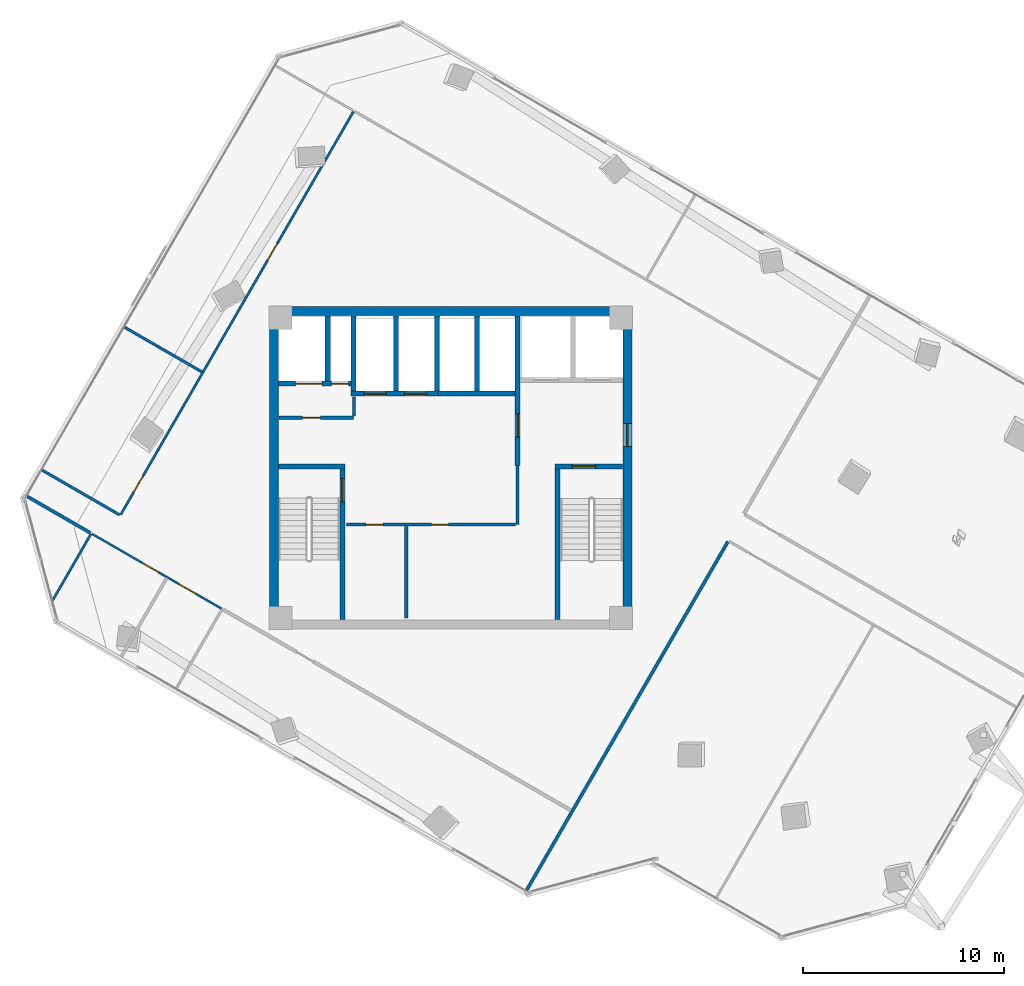
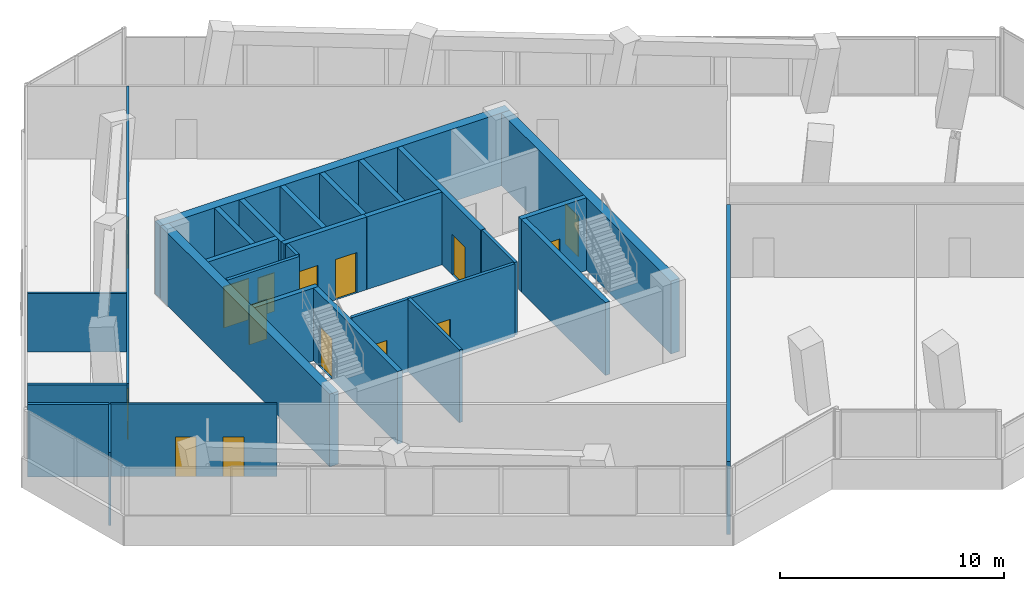
# One storey, part 18 of 22: 28 walls, 15 doors, 15 openings.
"""IFC4 building model written with IfcOpenShell, lengths in metres."""

from ifc_helpers import new_model, si_unit, direction, frame, frame_2d, origin, place, context, subcontext, project, spatial, rectangle, extrude, source, transform, mapped, material, layer, layer_set, type_object, element, fill, save


model = new_model("IFC4")

# Units and contexts
model_context = context("Model", 3, precision=1e-05, world=origin(), true_north=direction((0.0, 1.0)))
body_context = subcontext(model_context, "Body", "Model", "MODEL_VIEW")
ifc_project = project(units=[si_unit("LENGTHUNIT", "METRE"), si_unit("AREAUNIT", "SQUARE_METRE"), si_unit("VOLUMEUNIT", "CUBIC_METRE"), si_unit("PLANEANGLEUNIT", "RADIAN"), si_unit("MASSUNIT", "GRAM", prefix="KILO")], contexts=[model_context])

# Site, building, storey
site_placement = place(None, origin())
site = spatial("IfcSite", under=ifc_project, at=site_placement, CompositionType="ELEMENT")
building_placement = place(site_placement, origin())
building = spatial("IfcBuilding", under=site, at=building_placement, Name="Torre Montelarca", CompositionType="ELEMENT")
storey_placement = place(building_placement, frame((0.0, 0.0, 183.39990234375)))
storey = spatial("IfcBuildingStorey", under=building, at=storey_placement, Name="L41", CompositionType="ELEMENT", Elevation=183.39990234375)

# Wall, opening, door
ifc_material_1 = material(Name="Concrete C40/50", Category="concrete")
ifc_layer_1 = layer(ifc_material_1, 0.25, Name="Concrete C40/50", Category="concrete")
ifc_layer_set_1 = layer_set([ifc_layer_1], Name="Concrete C40/50")
wall_type_1 = type_object("IfcWallType", Name="CW-SHAFT-250", PredefinedType="SHEAR", material=ifc_layer_set_1)
wall_1_placement = place(storey_placement, frame((12.625, 24.4599609375, 0.0), z_axis=(0.0, 0.0, 1.0), x_axis=(0.0, 1.0, 0.0)))
wall_1 = element("IfcWall", 1, at=wall_1_placement, inside=storey, type_object=wall_type_1, Name="L41 Core Shear Wall SH-ST1-E", PredefinedType="SHEAR", context=body_context, shape_type="SweptSolid", body=[
    extrude(rectangle(XDim=7.489990234375, YDim=0.25, at=frame_2d((3.7451171875, 0.0))), origin(), (0.0, 0.0, 1.0), 3.960205078125),
])
opening_1_placement = place(wall_1_placement, frame((5.85009765625, 0.0, 0.0)))
opening_1 = element("IfcOpeningElement", 2, at=opening_1_placement, cuts=wall_1, Name="Opening FD-ST1", PredefinedType="OPENING", context=body_context, shape_type="SweptSolid", body=[
    extrude(rectangle(XDim=1.14990234375, YDim=2.199951171875, at=frame_2d((0.574951171875, 1.10009765625))), frame((0.0, 0.135009765625, 0.0), z_axis=(0.0, -1.0, 0.0), x_axis=(1.0, 0.0, 0.0)), (0.0, 0.0, 1.0), 0.27001953125),
])
ifc_material_2 = material(Name="Galvanized steel fire door", Category="steel")
door_type_1 = type_object("IfcDoorType", Name="DR-STAIR-115", OperationType="NOTDEFINED", PredefinedType="DOOR", material=ifc_material_2)
shared_shape_1 = source(origin(), body_context, "Body", "SweptSolid", [
    extrude(rectangle(XDim=1.14990234375, YDim=2.199951171875, at=frame_2d((0.574951171875, 1.10009765625))), frame((0.0, 0.02490234375, 0.0), z_axis=(0.0, -1.0, 0.0), x_axis=(1.0, 0.0, 0.0)), (0.0, 0.0, 1.0), 0.050048828125),
])
door_1_placement = place(opening_1_placement, origin())
door_1 = element("IfcDoor", 3, at=door_1_placement, inside=storey, type_object=door_type_1, Name="L41 Exit Stair ST1 Fire Door", OperationType="SINGLE_SWING_RIGHT", OverallHeight=2.199951171875, OverallWidth=1.14990234375, PredefinedType="DOOR", context=body_context, shape_type="MappedRepresentation", body=[
    mapped(shared_shape_1, transform((0.0, 0.0, 0.0), scale=1.0)),
])
fill(opening_1, door_1)

# Walls
wall_2_placement = place(storey_placement, frame((9.4599609375, 32.074951171875, 0.0), z_axis=(0.0, 0.0, 1.0), x_axis=(1.0, 0.0, 0.0)))
element("IfcWall", 4, at=wall_2_placement, inside=storey, type_object=wall_type_1, Name="L41 Core Shear Wall SH-ST1-N", PredefinedType="SHEAR", context=body_context, shape_type="SweptSolid", body=[
    extrude(rectangle(XDim=3.2900390625, YDim=0.25, at=frame_2d((1.64501953125, 0.0))), origin(), (0.0, 0.0, 1.0), 3.960205078125),
])
wall_3_placement = place(storey_placement, frame((23.31494140625, 24.4599609375, 0.0), z_axis=(0.0, 0.0, 1.0), x_axis=(0.0, 1.0, 0.0)))
element("IfcWall", 5, at=wall_3_placement, inside=storey, type_object=wall_type_1, Name="L41 Core Shear Wall SH-ST2-W", PredefinedType="SHEAR", context=body_context, shape_type="SweptSolid", body=[
    extrude(rectangle(XDim=7.489990234375, YDim=0.25, at=frame_2d((3.7451171875, 0.0))), origin(), (0.0, 0.0, 1.0), 3.960205078125),
])

# Wall, opening, door
wall_4_placement = place(storey_placement, frame((23.18994140625, 32.074951171875, 0.0), z_axis=(0.0, 0.0, 1.0), x_axis=(1.0, 0.0, 0.0)))
wall_4 = element("IfcWall", 6, at=wall_4_placement, inside=storey, type_object=wall_type_1, Name="L41 Core Shear Wall SH-ST2-N", PredefinedType="SHEAR", context=body_context, shape_type="SweptSolid", body=[
    extrude(rectangle(XDim=3.35009765625, YDim=0.25, at=frame_2d((1.675048828125, 0.0))), origin(), (0.0, 0.0, 1.0), 3.960205078125),
])
opening_2_placement = place(wall_4_placement, frame((0.85009765625, 0.0, 0.0)))
opening_2 = element("IfcOpeningElement", 7, at=opening_2_placement, cuts=wall_4, Name="Opening FD-ST1", PredefinedType="OPENING", context=body_context, shape_type="SweptSolid", body=[
    extrude(rectangle(XDim=1.14990234375, YDim=2.199951171875, at=frame_2d((0.574951171875, 1.10009765625))), frame((0.0, 0.135009765625, 0.0), z_axis=(0.0, -1.0, 0.0), x_axis=(1.0, 0.0, 0.0)), (0.0, 0.0, 1.0), 0.27001953125),
])
door_2_placement = place(opening_2_placement, origin())
door_2 = element("IfcDoor", 8, at=door_2_placement, inside=storey, type_object=door_type_1, Name="L41 Exit Stair ST2 Fire Door", OperationType="SINGLE_SWING_RIGHT", OverallHeight=2.199951171875, OverallWidth=1.14990234375, PredefinedType="DOOR", context=body_context, shape_type="MappedRepresentation", body=[
    mapped(shared_shape_1, transform((0.0, 0.0, 0.0), scale=1.0)),
])
fill(opening_2, door_2)

wall_5_placement = place(storey_placement, frame((21.320068359375, 32.1201171875, 0.0), z_axis=(0.0, 0.0, 1.0), x_axis=(0.0, 1.0, 0.0)))
wall_5 = element("IfcWall", 9, at=wall_5_placement, inside=storey, type_object=wall_type_1, Name="L41 Core Shear Wall SH-FFL-W", PredefinedType="SHEAR", context=body_context, shape_type="SweptSolid", body=[
    extrude(rectangle(XDim=7.419921875, YDim=0.25, at=frame_2d((3.7099609375, 0.0))), origin(), (0.0, 0.0, 1.0), 3.960205078125),
])
opening_3_placement = place(wall_5_placement, frame((1.39990234375, 0.0, 0.0)))
opening_3 = element("IfcOpeningElement", 10, at=opening_3_placement, cuts=wall_5, Name="Opening FD-LB1", PredefinedType="OPENING", context=body_context, shape_type="SweptSolid", body=[
    extrude(rectangle(XDim=1.14990234375, YDim=2.199951171875, at=frame_2d((0.574951171875, 1.10009765625))), frame((0.0, 0.135009765625, 0.0), z_axis=(0.0, -1.0, 0.0), x_axis=(1.0, 0.0, 0.0)), (0.0, 0.0, 1.0), 0.27001953125),
])
ifc_material_3 = material(Name="Acoustic timber-veneered fire door", Category="wood")
door_type_2 = type_object("IfcDoorType", Name="DR-LOBBY-115", OperationType="NOTDEFINED", PredefinedType="DOOR", material=ifc_material_3)
shared_shape_2 = source(origin(), body_context, "Body", "SweptSolid", [
    extrude(rectangle(XDim=1.14990234375, YDim=2.199951171875, at=frame_2d((0.574951171875, 1.10009765625))), frame((0.0, 0.02490234375, 0.0), z_axis=(0.0, -1.0, 0.0), x_axis=(1.0, 0.0, 0.0)), (0.0, 0.0, 1.0), 0.050048828125),
])
door_3_placement = place(opening_3_placement, origin())
door_3 = element("IfcDoor", 11, at=door_3_placement, inside=storey, type_object=door_type_2, Name="L41 Lift Lobby to Firefighting Lobby Smoke Door", OperationType="SINGLE_SWING_LEFT", OverallHeight=2.199951171875, OverallWidth=1.14990234375, PredefinedType="DOOR", context=body_context, shape_type="MappedRepresentation", body=[
    mapped(shared_shape_2, transform((0.0, 0.0, 0.0), scale=1.0)),
])
fill(opening_3, door_3)

# Wall, openings, doors
wall_6_placement = place(storey_placement, frame((9.4599609375, 36.179931640625, 0.0), z_axis=(0.0, 0.0, 1.0), x_axis=(1.0, 0.0, 0.0)))
wall_6 = element("IfcWall", 12, at=wall_6_placement, inside=storey, type_object=wall_type_1, Name="L41 Core Shear Wall SH-SV1-S", PredefinedType="SHEAR", context=body_context, shape_type="SweptSolid", body=[
    extrude(rectangle(XDim=3.7900390625, YDim=0.25, at=frame_2d((1.89501953125, 0.0))), origin(), (0.0, 0.0, 1.0), 3.960205078125),
])
opening_4_placement = place(wall_6_placement, frame((2.6201171875, 0.0, 0.0)))
opening_4 = element("IfcOpeningElement", 13, at=opening_4_placement, cuts=wall_6, Name="Opening FD-085", PredefinedType="OPENING", context=body_context, shape_type="SweptSolid", body=[
    extrude(rectangle(XDim=0.85009765625, YDim=2.10009765625, at=frame_2d((0.425048828125, 1.050048828125))), frame((0.0, 0.135009765625, 0.0), z_axis=(0.0, -1.0, 0.0), x_axis=(1.0, 0.0, 0.0)), (0.0, 0.0, 1.0), 0.27001953125),
])
opening_5_placement = place(wall_6_placement, frame((0.85009765625, 0.0, 0.0)))
opening_5 = element("IfcOpeningElement", 14, at=opening_5_placement, cuts=wall_6, Name="Opening LD-130", PredefinedType="OPENING", context=body_context, shape_type="SweptSolid", body=[
    extrude(rectangle(XDim=1.300048828125, YDim=2.25, at=frame_2d((0.64990234375, 1.125))), frame((0.0, 0.135009765625, 0.0), z_axis=(0.0, -1.0, 0.0), x_axis=(1.0, 0.0, 0.0)), (0.0, 0.0, 1.0), 0.27001953125),
])
ifc_material_4 = material(Name="Steel riser access fire door", Category="steel")
door_type_3 = type_object("IfcDoorType", Name="DR-RISER-085", OperationType="NOTDEFINED", PredefinedType="DOOR", material=ifc_material_4)
shared_shape_3 = source(origin(), body_context, "Body", "SweptSolid", [
    extrude(rectangle(XDim=0.85009765625, YDim=2.10009765625, at=frame_2d((0.425048828125, 1.050048828125))), frame((0.0, 0.02490234375, 0.0), z_axis=(0.0, -1.0, 0.0), x_axis=(1.0, 0.0, 0.0)), (0.0, 0.0, 1.0), 0.050048828125),
])
door_4_placement = place(opening_4_placement, origin())
door_4 = element("IfcDoor", 15, at=door_4_placement, inside=storey, type_object=door_type_3, Name="L41 Electrical Riser Shaft Access Door", OperationType="SINGLE_SWING_RIGHT", OverallHeight=2.10009765625, OverallWidth=0.85009765625, PredefinedType="DOOR", context=body_context, shape_type="MappedRepresentation", body=[
    mapped(shared_shape_3, transform((0.0, 0.0, 0.0), scale=1.0)),
])
fill(opening_4, door_4)
ifc_material_5 = material(Name="Brushed stainless steel AISI 316", Category="steel")
door_type_4 = type_object("IfcDoorType", Name="DR-LIFT-130", OperationType="SLIDING_TO_LEFT", PredefinedType="DOOR", material=ifc_material_5)
shared_shape_4 = source(origin(), body_context, "Body", "SweptSolid", [
    extrude(rectangle(XDim=1.300048828125, YDim=2.25, at=frame_2d((0.64990234375, 1.125))), frame((0.0, 0.02490234375, 0.0), z_axis=(0.0, -1.0, 0.0), x_axis=(1.0, 0.0, 0.0)), (0.0, 0.0, 1.0), 0.050048828125),
])
door_5_placement = place(opening_5_placement, origin())
door_5 = element("IfcDoor", 16, at=door_5_placement, inside=storey, type_object=door_type_4, Name="L41 Lift Landing Sliding Door SV-1", OperationType="SLIDING_TO_LEFT", OverallHeight=2.25, OverallWidth=1.300048828125, PredefinedType="DOOR", context=body_context, shape_type="MappedRepresentation", body=[
    mapped(shared_shape_4, transform((0.0, 0.0, 0.0), scale=1.0)),
])
fill(opening_5, door_5)

# Wall
wall_7_placement = place(storey_placement, frame((11.89990234375, 36.31005859375, 0.0), z_axis=(0.0, 0.0, 1.0), x_axis=(0.0, 1.0, 0.0)))
element("IfcWall", 17, at=wall_7_placement, inside=storey, type_object=wall_type_1, Name="L41 Core Shear Wall SH-SV1-E", PredefinedType="SHEAR", context=body_context, shape_type="SweptSolid", body=[
    extrude(rectangle(XDim=3.22998046875, YDim=0.25, at=frame_2d((1.614990234375, 0.0))), origin(), (0.0, 0.0, 1.0), 3.960205078125),
])

# Wall, openings, doors
wall_8_placement = place(storey_placement, frame((13.06005859375, 35.679931640625, 0.0), z_axis=(0.0, 0.0, 1.0), x_axis=(1.0, 0.0, 0.0)))
wall_8 = element("IfcWall", 18, at=wall_8_placement, inside=storey, type_object=wall_type_1, Name="L41 Core Shear Wall SH-PLM-S", PredefinedType="SHEAR", context=body_context, shape_type="SweptSolid", body=[
    extrude(rectangle(XDim=4.25, YDim=0.25, at=frame_2d((2.125, 0.0))), origin(), (0.0, 0.0, 1.0), 3.960205078125),
])
opening_6_placement = place(wall_8_placement, frame((0.64990234375, 0.0, 0.0)))
opening_6 = element("IfcOpeningElement", 19, at=opening_6_placement, cuts=wall_8, Name="Opening LD-110", PredefinedType="OPENING", context=body_context, shape_type="SweptSolid", body=[
    extrude(rectangle(XDim=1.10009765625, YDim=2.199951171875, at=frame_2d((0.550048828125, 1.10009765625))), frame((0.0, 0.135009765625, 0.0), z_axis=(0.0, -1.0, 0.0), x_axis=(1.0, 0.0, 0.0)), (0.0, 0.0, 1.0), 0.27001953125),
])
opening_7_placement = place(wall_8_placement, frame((2.64990234375, 0.0, 0.0)))
opening_7 = element("IfcOpeningElement", 20, at=opening_7_placement, cuts=wall_8, Name="Opening LD-110", PredefinedType="OPENING", context=body_context, shape_type="SweptSolid", body=[
    extrude(rectangle(XDim=1.10009765625, YDim=2.199951171875, at=frame_2d((0.550048828125, 1.10009765625))), frame((0.0, 0.135009765625, 0.0), z_axis=(0.0, -1.0, 0.0), x_axis=(1.0, 0.0, 0.0)), (0.0, 0.0, 1.0), 0.27001953125),
])
door_type_5 = type_object("IfcDoorType", Name="DR-LIFT-110", OperationType="SLIDING_TO_LEFT", PredefinedType="DOOR", material=ifc_material_5)
shared_shape_5 = source(origin(), body_context, "Body", "SweptSolid", [
    extrude(rectangle(XDim=1.10009765625, YDim=2.199951171875, at=frame_2d((0.550048828125, 1.10009765625))), frame((0.0, 0.02490234375, 0.0), z_axis=(0.0, -1.0, 0.0), x_axis=(1.0, 0.0, 0.0)), (0.0, 0.0, 1.0), 0.050048828125),
])
door_6_placement = place(opening_6_placement, origin())
door_6 = element("IfcDoor", 21, at=door_6_placement, inside=storey, type_object=door_type_5, Name="L41 Lift Landing Sliding Door PL-M1", OperationType="SLIDING_TO_LEFT", OverallHeight=2.199951171875, OverallWidth=1.10009765625, PredefinedType="DOOR", context=body_context, shape_type="MappedRepresentation", body=[
    mapped(shared_shape_5, transform((0.0, 0.0, 0.0), scale=1.0)),
])
fill(opening_6, door_6)
door_7_placement = place(opening_7_placement, origin())
door_7 = element("IfcDoor", 22, at=door_7_placement, inside=storey, type_object=door_type_5, Name="L41 Lift Landing Sliding Door PL-M2", OperationType="SLIDING_TO_RIGHT", OverallHeight=2.199951171875, OverallWidth=1.10009765625, PredefinedType="DOOR", context=body_context, shape_type="MappedRepresentation", body=[
    mapped(shared_shape_5, transform((0.0, 0.0, 0.0), scale=1.0)),
])
fill(opening_7, door_7)

# Walls
for number, where, z_axis, x_axis, name in (
    (23, (13.179931640625, 35.81005859375, 0.0), (0.0, 0.0, 1.0), (0.0, 1.0, 0.0), "L41 Core Shear Wall SH-PLM-W"),
    (24, (15.280029296875, 35.81005859375, 0.0), (0.0, 0.0, 1.0), (0.0, 1.0, 0.0), "L41 Core Shear Wall SH-PLM-M"),
):
    element("IfcWall", number, at=place(storey_placement, frame(where, z_axis=z_axis, x_axis=x_axis)), inside=storey, type_object=wall_type_1, Name=name, PredefinedType="SHEAR", context=body_context, shape_type="SweptSolid", body=[
        extrude(rectangle(XDim=3.72998046875, YDim=0.25, at=frame_2d((1.864990234375, 0.0))), origin(), (0.0, 0.0, 1.0), 3.960205078125),
    ])
wall_9_placement = place(storey_placement, frame((17.320068359375, 35.679931640625, 0.0), z_axis=(0.0, 0.0, 1.0), x_axis=(1.0, 0.0, 0.0)))
element("IfcWall", 25, at=wall_9_placement, inside=storey, type_object=wall_type_1, Name="L41 Core Shear Wall SH-PLH-S", PredefinedType="SHEAR", context=body_context, shape_type="SweptSolid", body=[
    extrude(rectangle(XDim=3.869873046875, YDim=0.25, at=frame_2d((1.93505859375, 0.0))), origin(), (0.0, 0.0, 1.0), 3.960205078125),
])
for number, where, z_axis, x_axis, name in (
    (26, (17.320068359375, 35.81005859375, 0.0), (0.0, 0.0, 1.0), (0.0, 1.0, 0.0), "L41 Core Shear Wall SH-PLH-W"),
    (27, (19.320068359375, 35.81005859375, 0.0), (0.0, 0.0, 1.0), (0.0, 1.0, 0.0), "L41 Core Shear Wall SH-PLH-M"),
):
    element("IfcWall", number, at=place(storey_placement, frame(where, z_axis=z_axis, x_axis=x_axis)), inside=storey, type_object=wall_type_1, Name=name, PredefinedType="SHEAR", context=body_context, shape_type="SweptSolid", body=[
        extrude(rectangle(XDim=3.72998046875, YDim=0.25, at=frame_2d((1.864990234375, 0.0))), origin(), (0.0, 0.0, 1.0), 3.960205078125),
    ])
ifc_material_6 = material(Name="Concrete C55/67", Category="concrete")
ifc_layer_2 = layer(ifc_material_6, 0.449951171875, Name="Concrete C55/67", Category="concrete")
ifc_layer_set_2 = layer_set([ifc_layer_2], Name="Concrete C55/67")
wall_type_2 = type_object("IfcWallType", Name="CW-SHEAR-450", PredefinedType="SHEAR", material=ifc_layer_set_2)
wall_10_placement = place(storey_placement, frame((9.22509765625, 24.449951171875, 0.0), z_axis=(0.0, 0.0, 1.0), x_axis=(0.0, 1.0, 0.0)))
element("IfcWall", 28, at=wall_10_placement, inside=storey, type_object=wall_type_2, Name="L41 Core Shear Wall CW-W", PredefinedType="SHEAR", context=body_context, shape_type="SweptSolid", body=[
    extrude(rectangle(XDim=15.10009765625, YDim=0.449951171875, at=frame_2d((7.550048828125, 0.0))), origin(), (0.0, 0.0, 1.0), 3.960205078125),
])

# Wall, opening, door
wall_11_placement = place(storey_placement, frame((26.77490234375, 24.449951171875, 0.0), z_axis=(0.0, 0.0, 1.0), x_axis=(0.0, 1.0, 0.0)))
wall_11 = element("IfcWall", 29, at=wall_11_placement, inside=storey, type_object=wall_type_2, Name="L41 Core Shear Wall CW-E", PredefinedType="SHEAR", context=body_context, shape_type="SweptSolid", body=[
    extrude(rectangle(XDim=15.10009765625, YDim=0.449951171875, at=frame_2d((7.550048828125, 0.0))), origin(), (0.0, 0.0, 1.0), 3.960205078125),
])
opening_8_placement = place(wall_11_placement, frame((8.60009765625, 0.0, 0.0)))
opening_8 = element("IfcOpeningElement", 30, at=opening_8_placement, cuts=wall_11, Name="Opening FD-LB1", PredefinedType="OPENING", context=body_context, shape_type="SweptSolid", body=[
    extrude(rectangle(XDim=1.14990234375, YDim=2.199951171875, at=frame_2d((0.574951171875, 1.10009765625))), frame((0.0, 0.23486328125, 0.0), z_axis=(0.0, -1.0, 0.0), x_axis=(1.0, 0.0, 0.0)), (0.0, 0.0, 1.0), 0.469970703125),
])
door_8_placement = place(opening_8_placement, origin())
door_8 = element("IfcDoor", 31, at=door_8_placement, inside=storey, type_object=door_type_2, Name="L41 Firefighting Lift Lobby Corridor Fire Door", OperationType="SINGLE_SWING_RIGHT", OverallHeight=2.199951171875, OverallWidth=1.14990234375, PredefinedType="DOOR", context=body_context, shape_type="MappedRepresentation", body=[
    mapped(shared_shape_2, transform((0.0, 0.0, 0.0), scale=1.0)),
])
fill(opening_8, door_8)

# Wall
wall_12_placement = place(storey_placement, frame((9.0, 39.77490234375, 0.0), z_axis=(0.0, 0.0, 1.0), x_axis=(1.0, 0.0, 0.0)))
element("IfcWall", 32, at=wall_12_placement, inside=storey, type_object=wall_type_2, Name="L41 Core Shear Wall CW-N1", PredefinedType="SHEAR", context=body_context, shape_type="SweptSolid", body=[
    extrude(rectangle(XDim=18.0, YDim=0.449951171875, at=frame_2d((9.0, 0.0))), origin(), (0.0, 0.0, 1.0), 3.960205078125),
])

# Wall, opening, door
ifc_material_7 = material(Name="Gypsum plasterboard on steel stud", Category="steel")
ifc_layer_3 = layer(ifc_material_7, 0.159912109375, Name="Gypsum plasterboard on steel stud", Category="steel")
ifc_layer_set_3 = layer_set([ifc_layer_3], Name="Gypsum plasterboard on steel stud")
wall_type_3 = type_object("IfcWallType", Name="PW-FIRE-160", PredefinedType="PARTITIONING", material=ifc_layer_set_3)
wall_13_placement = place(storey_placement, frame((9.489990234375, 34.47998046875, 0.0), z_axis=(0.0, 0.0, 1.0), x_axis=(1.0, 0.0, 0.0)))
wall_13 = element("IfcWall", 33, at=wall_13_placement, inside=storey, type_object=wall_type_3, Name="L41 Interior Partition CW-L41-SVS", PredefinedType="PARTITIONING", context=body_context, shape_type="SweptSolid", body=[
    extrude(rectangle(XDim=3.699951171875, YDim=0.159912109375, at=frame_2d((1.85009765625, 0.0))), origin(), (0.0, 0.0, 1.0), 3.960205078125),
])
opening_9_placement = place(wall_13_placement, frame((1.14990234375, 0.0, 0.0)))
opening_9 = element("IfcOpeningElement", 34, at=opening_9_placement, cuts=wall_13, Name="Opening FD-090", PredefinedType="OPENING", context=body_context, shape_type="SweptSolid", body=[
    extrude(rectangle(XDim=0.89990234375, YDim=2.14990234375, at=frame_2d((0.449951171875, 1.074951171875))), frame((0.0, 0.08984375, 0.0), z_axis=(0.0, -1.0, 0.0), x_axis=(1.0, 0.0, 0.0)), (0.0, 0.0, 1.0), 0.179931640625),
])
ifc_material_8 = material(Name="Steel service fire door", Category="steel")
door_type_6 = type_object("IfcDoorType", Name="DR-FIRE-090", OperationType="NOTDEFINED", PredefinedType="DOOR", material=ifc_material_8)
shared_shape_6 = source(origin(), body_context, "Body", "SweptSolid", [
    extrude(rectangle(XDim=0.89990234375, YDim=2.14990234375, at=frame_2d((0.449951171875, 1.074951171875))), frame((0.0, 0.02490234375, 0.0), z_axis=(0.0, -1.0, 0.0), x_axis=(1.0, 0.0, 0.0)), (0.0, 0.0, 1.0), 0.050048828125),
])
door_9_placement = place(opening_9_placement, origin())
door_9 = element("IfcDoor", 35, at=door_9_placement, inside=storey, type_object=door_type_6, Name="L41 Interior Door 01", OperationType="SINGLE_SWING_RIGHT", OverallHeight=2.14990234375, OverallWidth=0.89990234375, PredefinedType="DOOR", context=body_context, shape_type="MappedRepresentation", body=[
    mapped(shared_shape_6, transform((0.0, 0.0, 0.0), scale=1.0)),
])
fill(opening_9, door_9)

# Wall
wall_14_placement = place(storey_placement, frame((13.199951171875, 34.570068359375, 0.0), z_axis=(0.0, 0.0, 1.0), x_axis=(0.0, 1.0, 0.0)))
element("IfcWall", 36, at=wall_14_placement, inside=storey, type_object=wall_type_3, Name="L41 Interior Partition CW-L41-SVE", PredefinedType="PARTITIONING", context=body_context, shape_type="SweptSolid", body=[
    extrude(rectangle(XDim=0.93994140625, YDim=0.159912109375, at=frame_2d((0.469970703125, 0.0))), origin(), (0.0, 0.0, 1.0), 3.960205078125),
])

# Wall, openings, doors
wall_15_placement = place(storey_placement, frame((12.840087890625, 29.179931640625, 0.0), z_axis=(0.0, 0.0, 1.0), x_axis=(1.0, 0.0, 0.0)))
wall_15 = element("IfcWall", 37, at=wall_15_placement, inside=storey, type_object=wall_type_3, Name="L41 Interior Partition CW-L41-FRDN", PredefinedType="PARTITIONING", context=body_context, shape_type="SweptSolid", body=[
    extrude(rectangle(XDim=8.369873046875, YDim=0.159912109375, at=frame_2d((4.18505859375, 0.0))), origin(), (0.0, 0.0, 1.0), 3.960205078125),
])
opening_10_placement = place(wall_15_placement, frame((0.949951171875, 0.0, 0.0)))
opening_10 = element("IfcOpeningElement", 38, at=opening_10_placement, cuts=wall_15, Name="Opening FD-085", PredefinedType="OPENING", context=body_context, shape_type="SweptSolid", body=[
    extrude(rectangle(XDim=0.85009765625, YDim=2.10009765625, at=frame_2d((0.425048828125, 1.050048828125))), frame((0.0, 0.08984375, 0.0), z_axis=(0.0, -1.0, 0.0), x_axis=(1.0, 0.0, 0.0)), (0.0, 0.0, 1.0), 0.179931640625),
])
opening_11_placement = place(wall_15_placement, frame((4.199951171875, 0.0, 0.0)))
opening_11 = element("IfcOpeningElement", 39, at=opening_11_placement, cuts=wall_15, Name="Opening FD-085", PredefinedType="OPENING", context=body_context, shape_type="SweptSolid", body=[
    extrude(rectangle(XDim=0.85009765625, YDim=2.10009765625, at=frame_2d((0.425048828125, 1.050048828125))), frame((0.0, 0.08984375, 0.0), z_axis=(0.0, -1.0, 0.0), x_axis=(1.0, 0.0, 0.0)), (0.0, 0.0, 1.0), 0.179931640625),
])
door_10_placement = place(opening_10_placement, origin())
door_10 = element("IfcDoor", 40, at=door_10_placement, inside=storey, type_object=door_type_3, Name="L41 Interior Door 02", OperationType="SINGLE_SWING_LEFT", OverallHeight=2.10009765625, OverallWidth=0.85009765625, PredefinedType="DOOR", context=body_context, shape_type="MappedRepresentation", body=[
    mapped(shared_shape_3, transform((0.0, 0.0, 0.0), scale=1.0)),
])
fill(opening_10, door_10)
door_11_placement = place(opening_11_placement, origin())
door_11 = element("IfcDoor", 41, at=door_11_placement, inside=storey, type_object=door_type_3, Name="L41 Interior Door 03", OperationType="SINGLE_SWING_RIGHT", OverallHeight=2.10009765625, OverallWidth=0.85009765625, PredefinedType="DOOR", context=body_context, shape_type="MappedRepresentation", body=[
    mapped(shared_shape_3, transform((0.0, 0.0, 0.0), scale=1.0)),
])
fill(opening_11, door_11)

# Walls
wall_16_placement = place(storey_placement, frame((15.800048828125, 24.5400390625, 0.0), z_axis=(0.0, 0.0, 1.0), x_axis=(0.0, 1.0, 0.0)))
element("IfcWall", 42, at=wall_16_placement, inside=storey, type_object=wall_type_3, Name="L41 Interior Partition CW-L41-FRD1", PredefinedType="PARTITIONING", context=body_context, shape_type="SweptSolid", body=[
    extrude(rectangle(XDim=4.599853515625, YDim=0.159912109375, at=frame_2d((2.2998046875, 0.0))), origin(), (0.0, 0.0, 1.0), 3.960205078125),
])
wall_17_placement = place(storey_placement, frame((21.320068359375, 29.18994140625, 0.0), z_axis=(0.0, 0.0, 1.0), x_axis=(0.0, 1.0, 0.0)))
element("IfcWall", 43, at=wall_17_placement, inside=storey, type_object=wall_type_3, Name="L41 Interior Partition CW-L41-FRE", PredefinedType="PARTITIONING", context=body_context, shape_type="SweptSolid", body=[
    extrude(rectangle(XDim=2.920166015625, YDim=0.159912109375, at=frame_2d((1.4599609375, 0.0))), origin(), (0.0, 0.0, 1.0), 3.960205078125),
])
wall_18_placement = place(storey_placement, frame((-3.015869140625, 30.577392578125, 0.0), z_axis=(0.0, 0.0, 1.0), x_axis=(0.866011990707, -0.500023231413, 0.0)))
element("IfcWall", 44, at=wall_18_placement, inside=storey, type_object=wall_type_3, Name="L41 Interior Partition W-L41-SOCCW", PredefinedType="PARTITIONING", context=body_context, shape_type="SweptSolid", body=[
    extrude(rectangle(XDim=3.630126953125, YDim=0.159912109375, at=frame_2d((1.81494140625, 0.0))), origin(), (0.0, 0.0, 1.0), 3.960205078125),
])
wall_19_placement = place(storey_placement, frame((21.773681640625, 11.0341796875, 0.0), z_axis=(0.0, 0.0, 1.0), x_axis=(0.500008037328, 0.866020763381, 0.0)))
element("IfcWall", 45, at=wall_19_placement, inside=storey, type_object=wall_type_3, Name="L41 Interior Partition W-L41-ECS", PredefinedType="PARTITIONING", context=body_context, shape_type="SweptSolid", body=[
    extrude(rectangle(XDim=19.980224609375, YDim=0.159912109375, at=frame_2d((9.990234375, 0.0))), origin(), (0.0, 0.0, 1.0), 3.960205078125),
])

# Wall, openings, doors
ifc_material_9 = material(Name="Acoustic laminated glass partition", Category="glass")
ifc_layer_4 = layer(ifc_material_9, 0.10009765625, Name="Acoustic laminated glass partition", Category="glass")
ifc_layer_set_4 = layer_set([ifc_layer_4], Name="Acoustic laminated glass partition")
wall_type_4 = type_object("IfcWallType", Name="PW-GLAZ-100", PredefinedType="PARTITIONING", material=ifc_layer_set_4)
wall_20_placement = place(storey_placement, frame((0.197021484375, 28.722412109375, 0.0), z_axis=(0.0, 0.0, 1.0), x_axis=(0.866017374541, -0.5000139068, 0.0)))
wall_20 = element("IfcWall", 46, at=wall_20_placement, inside=storey, type_object=wall_type_4, Name="L41 Interior Partition W-L41-WCN", PredefinedType="PARTITIONING", context=body_context, shape_type="SweptSolid", body=[
    extrude(rectangle(XDim=7.420166015625, YDim=0.10009765625, at=frame_2d((3.7099609375, 0.0))), origin(), (0.0, 0.0, 1.0), 3.960205078125),
])
opening_12_placement = place(wall_20_placement, frame((2.89990234375, 0.0, 0.0)))
opening_12 = element("IfcOpeningElement", 47, at=opening_12_placement, cuts=wall_20, Name="Opening ID-090", PredefinedType="OPENING", context=body_context, shape_type="SweptSolid", body=[
    extrude(rectangle(XDim=0.89990234375, YDim=2.14990234375, at=frame_2d((0.449951171875, 1.074951171875))), frame((0.0, 0.06005859375, 0.0), z_axis=(0.0, -1.0, 0.0), x_axis=(1.0, 0.0, 0.0)), (0.0, 0.0, 1.0), 0.1201171875),
])
opening_13_placement = place(wall_20_placement, frame((5.0, 0.0, 0.0)))
opening_13 = element("IfcOpeningElement", 48, at=opening_13_placement, cuts=wall_20, Name="Opening ID-095", PredefinedType="OPENING", context=body_context, shape_type="SweptSolid", body=[
    extrude(rectangle(XDim=0.949951171875, YDim=2.14990234375, at=frame_2d((0.47509765625, 1.074951171875))), frame((0.0, 0.06005859375, 0.0), z_axis=(0.0, -1.0, 0.0), x_axis=(1.0, 0.0, 0.0)), (0.0, 0.0, 1.0), 0.1201171875),
])
ifc_material_10 = material(Name="Hardwood acoustic timber veneer", Category="wood")
door_type_7 = type_object("IfcDoorType", Name="DR-INT-090", OperationType="NOTDEFINED", PredefinedType="DOOR", material=ifc_material_10)
shared_shape_7 = source(origin(), body_context, "Body", "SweptSolid", [
    extrude(rectangle(XDim=0.89990234375, YDim=2.14990234375, at=frame_2d((0.449951171875, 1.074951171875))), frame((0.0, 0.02490234375, 0.0), z_axis=(0.0, -1.0, 0.0), x_axis=(1.0, 0.0, 0.0)), (0.0, 0.0, 1.0), 0.050048828125),
])
door_12_placement = place(opening_12_placement, origin())
door_12 = element("IfcDoor", 49, at=door_12_placement, inside=storey, type_object=door_type_7, Name="L41 Interior Door 04", OperationType="SINGLE_SWING_LEFT", OverallHeight=2.14990234375, OverallWidth=0.89990234375, PredefinedType="DOOR", context=body_context, shape_type="MappedRepresentation", body=[
    mapped(shared_shape_7, transform((0.0, 0.0, 0.0), scale=1.0)),
])
fill(opening_12, door_12)
door_type_8 = type_object("IfcDoorType", Name="DR-INT-095", OperationType="NOTDEFINED", PredefinedType="DOOR", material=ifc_material_10)
shared_shape_8 = source(origin(), body_context, "Body", "SweptSolid", [
    extrude(rectangle(XDim=0.949951171875, YDim=2.14990234375, at=frame_2d((0.47509765625, 1.074951171875))), frame((0.0, 0.02490234375, 0.0), z_axis=(0.0, -1.0, 0.0), x_axis=(1.0, 0.0, 0.0)), (0.0, 0.0, 1.0), 0.050048828125),
])
door_13_placement = place(opening_13_placement, origin())
door_13 = element("IfcDoor", 50, at=door_13_placement, inside=storey, type_object=door_type_8, Name="L41 Interior Door 05", OperationType="SINGLE_SWING_RIGHT", OverallHeight=2.14990234375, OverallWidth=0.949951171875, PredefinedType="DOOR", context=body_context, shape_type="MappedRepresentation", body=[
    mapped(shared_shape_8, transform((0.0, 0.0, 0.0), scale=1.0)),
])
fill(opening_13, door_13)

# Wall
ifc_layer_5 = layer(ifc_material_7, 0.114990234375, Name="Gypsum plasterboard on steel stud", Category="steel")
ifc_layer_set_5 = layer_set([ifc_layer_5], Name="Gypsum plasterboard on steel stud")
wall_type_5 = type_object("IfcWallType", Name="PW-PART-115", PredefinedType="PARTITIONING", material=ifc_layer_set_5)
wall_21_placement = place(storey_placement, frame((-1.74853515625, 25.432373046875, 0.0), z_axis=(0.0, 0.0, 1.0), x_axis=(0.500013012896, 0.866017890655, 0.0)))
element("IfcWall", 51, at=wall_21_placement, inside=storey, type_object=wall_type_5, Name="L41 Interior Partition W-L41-WCW", PredefinedType="PARTITIONING", context=body_context, shape_type="SweptSolid", body=[
    extrude(rectangle(XDim=3.7822265625, YDim=0.114990234375, at=frame_2d((1.89111328125, 0.0))), origin(), (0.0, 0.0, 1.0), 3.960205078125),
])

# Wall, openings, doors
wall_22_placement = place(storey_placement, frame((1.625244140625, 29.676025390625, 0.0), z_axis=(0.0, 0.0, 1.0), x_axis=(0.500002707681, 0.866023840498, 0.0)))
wall_22 = element("IfcWall", 52, at=wall_22_placement, inside=storey, type_object=wall_type_5, Name="L41 Interior Partition W-L41-WWGE", PredefinedType="PARTITIONING", context=body_context, shape_type="SweptSolid", body=[
    extrude(rectangle(XDim=23.099853515625, YDim=0.114990234375, at=frame_2d((11.5498046875, 0.0))), origin(), (0.0, 0.0, 1.0), 3.960205078125),
])
opening_14_placement = place(wall_22_placement, frame((1.300048828125, 0.0, 0.0)))
opening_14 = element("IfcOpeningElement", 53, at=opening_14_placement, cuts=wall_22, Name="Opening ID-095", PredefinedType="OPENING", context=body_context, shape_type="SweptSolid", body=[
    extrude(rectangle(XDim=0.949951171875, YDim=2.14990234375, at=frame_2d((0.47509765625, 1.074951171875))), frame((0.0, 0.0673828125, 0.0), z_axis=(0.0, -1.0, 0.0), x_axis=(1.0, 0.0, 0.0)), (0.0, 0.0, 1.0), 0.135009765625),
])
opening_15_placement = place(wall_22_placement, frame((14.60009765625, 0.0, 0.0)))
opening_15 = element("IfcOpeningElement", 54, at=opening_15_placement, cuts=wall_22, Name="Opening ID-095", PredefinedType="OPENING", context=body_context, shape_type="SweptSolid", body=[
    extrude(rectangle(XDim=0.949951171875, YDim=2.14990234375, at=frame_2d((0.47509765625, 1.074951171875))), frame((0.0, 0.0673828125, 0.0), z_axis=(0.0, -1.0, 0.0), x_axis=(1.0, 0.0, 0.0)), (0.0, 0.0, 1.0), 0.135009765625),
])
door_14_placement = place(opening_14_placement, origin())
door_14 = element("IfcDoor", 55, at=door_14_placement, inside=storey, type_object=door_type_8, Name="L41 Interior Door 09", OperationType="SINGLE_SWING_LEFT", OverallHeight=2.14990234375, OverallWidth=0.949951171875, PredefinedType="DOOR", context=body_context, shape_type="MappedRepresentation", body=[
    mapped(shared_shape_8, transform((0.0, 0.0, 0.0), scale=1.0)),
])
fill(opening_14, door_14)
door_15_placement = place(opening_15_placement, origin())
door_15 = element("IfcDoor", 56, at=door_15_placement, inside=storey, type_object=door_type_8, Name="L41 Interior Door 10", OperationType="SINGLE_SWING_RIGHT", OverallHeight=2.14990234375, OverallWidth=0.949951171875, PredefinedType="DOOR", context=body_context, shape_type="MappedRepresentation", body=[
    mapped(shared_shape_8, transform((0.0, 0.0, 0.0), scale=1.0)),
])
fill(opening_15, door_15)

# Walls
ifc_layer_6 = layer(ifc_material_7, 0.135009765625, Name="Gypsum plasterboard on steel stud", Category="steel")
ifc_layer_set_6 = layer_set([ifc_layer_6], Name="Gypsum plasterboard on steel stud")
wall_type_6 = type_object("IfcWallType", Name="PW-PART-135", PredefinedType="PARTITIONING", material=ifc_layer_set_6)
wall_23_placement = place(storey_placement, frame((-2.265869140625, 31.87646484375, 0.0), z_axis=(0.0, 0.0, 1.0), x_axis=(0.866026823135, -0.499997541604, 0.0)))
element("IfcWall", 57, at=wall_23_placement, inside=storey, type_object=wall_type_6, Name="L41 Interior Partition W-L41-WWGS", PredefinedType="PARTITIONING", context=body_context, shape_type="SweptSolid", body=[
    extrude(rectangle(XDim=4.43017578125, YDim=0.135009765625, at=frame_2d((2.215087890625, 0.0))), origin(), (0.0, 0.0, 1.0), 3.960205078125),
])
wall_24_placement = place(storey_placement, frame((1.8291015625, 38.968994140625, 0.0), z_axis=(0.0, 0.0, 1.0), x_axis=(0.866050685319, -0.499956208541, 0.0)))
element("IfcWall", 58, at=wall_24_placement, inside=storey, type_object=wall_type_6, Name="L41 Interior Partition W-L41-WWGD-1", PredefinedType="PARTITIONING", context=body_context, shape_type="SweptSolid", body=[
    extrude(rectangle(XDim=4.43017578125, YDim=0.135009765625, at=frame_2d((2.215087890625, 0.0))), origin(), (0.0, 0.0, 1.0), 3.195068359375),
])

save(model, "model.ifc")
